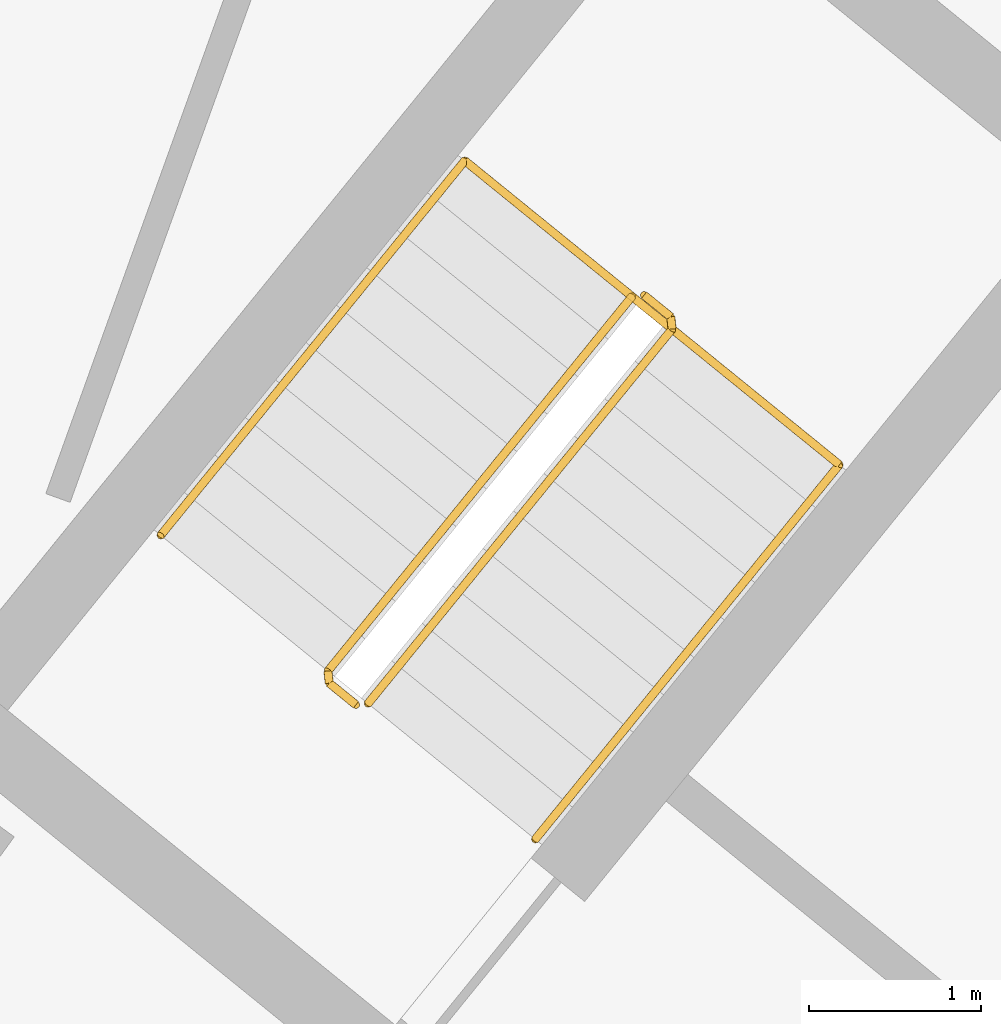
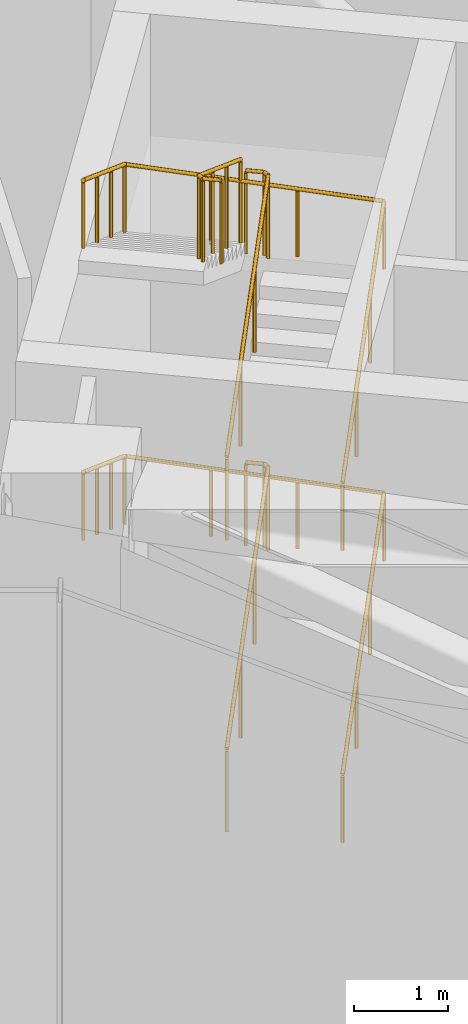
# One storey, part 33 of 33: 5 railings.
"""IFC4 building model written with IfcOpenShell, lengths in metres."""

from ifc_helpers import new_model, si_unit, direction, frame, origin, origin_2d, place, context, subcontext, project, spatial, circle, extrude, material, type_object, element, save


model = new_model("IFC4")

# Units and contexts
model_context = context("Model", 3, precision=1e-05, world=origin(), true_north=direction((0.0, 1.0)))
body_context = subcontext(model_context, "Body", "Model", "MODEL_VIEW")
ifc_project = project(units=[si_unit("LENGTHUNIT", "METRE"), si_unit("AREAUNIT", "SQUARE_METRE"), si_unit("VOLUMEUNIT", "CUBIC_METRE"), si_unit("PLANEANGLEUNIT", "RADIAN"), si_unit("MASSUNIT", "GRAM", prefix="KILO")], contexts=[model_context])

# Site, building, storey
site_placement = place(None, origin())
site = spatial("IfcSite", under=ifc_project, at=site_placement, CompositionType="ELEMENT")
building_placement = place(site_placement, origin())
building = spatial("IfcBuilding", under=site, at=building_placement, Name="Stone Belt Terrace Tower", CompositionType="ELEMENT")
storey_placement = place(building_placement, frame((0.0, 0.0, 79.39990234375)))
storey = spatial("IfcBuildingStorey", under=building, at=storey_placement, Name="L19", CompositionType="ELEMENT", Elevation=79.39990234375)

# Railings
ifc_material = material(Name="Structural steel C345", Category="steel")
railing_type_1 = type_object("IfcRailingType", Name="Stair guard 1100", PredefinedType="GUARDRAIL", material=ifc_material)
for number, where, name in (
    (1, (29.39794921875, 38.281982421875, 0.1728515625), "L19 ST3B stair guard 1"),
    (2, (29.39794921875, 38.281982421875, 3.972900390625), "L19 ST3B stair guard 3"),
):
    element("IfcRailing", number, at=place(storey_placement, frame(where)), inside=storey, type_object=railing_type_1, Name=name, PredefinedType="GUARDRAIL", context=body_context, shape_type="SweptSolid", body=[
        extrude(circle(Radius=0.02392578125, at=origin_2d()), frame((0.0, 0.0, 1.076171875), z_axis=(0.536393061503, 0.660769759217, 0.525038864158), x_axis=(-0.776391310223, 0.630251166924, 0.0)), (0.0, 0.0, 1.0), 3.289794921875),
        extrude(circle(Radius=0.02392578125, at=origin_2d()), frame((1.7646484375, 2.173828125, 2.80322265625), z_axis=(-0.103251414163, 0.994655289773, 0.0), x_axis=(-0.994655289773, -0.103251414163, 0.0)), (0.0, 0.0, 1.0), 0.071044921875),
        extrude(circle(Radius=0.02392578125, at=origin_2d()), frame((1.75732421875, 2.244384765625, 2.80322265625), z_axis=(-0.776561986372, 0.630040856868, 0.0), x_axis=(-0.630040856868, -0.776561986372, 0.0)), (0.0, 0.0, 1.0), 0.199951171875),
        extrude(circle(Radius=0.02099609375, at=origin_2d()), origin(), (0.0, 0.0, 1.0), 1.052001953125),
        extrude(circle(Radius=0.02099609375, at=origin_2d()), frame((0.588134765625, 0.724609375, 0.57568359375)), (0.0, 0.0, 1.0), 1.052001953125),
        extrude(circle(Radius=0.02099609375, at=origin_2d()), frame((1.176513671875, 1.44921875, 1.151611328125)), (0.0, 0.0, 1.0), 1.052001953125),
        extrude(circle(Radius=0.02099609375, at=origin_2d()), frame((1.7646484375, 2.173828125, 1.727294921875)), (0.0, 0.0, 1.0), 1.052001953125),
        extrude(circle(Radius=0.02099609375, at=origin_2d()), frame((1.75732421875, 2.244384765625, 1.727294921875)), (0.0, 0.0, 1.0), 1.052001953125),
        extrude(circle(Radius=0.02099609375, at=origin_2d()), frame((1.60205078125, 2.370361328125, 1.727294921875)), (0.0, 0.0, 1.0), 1.052001953125),
    ])
railing_1_placement = place(storey_placement, frame((30.9296875, 40.64501953125, 5.872802734375)))
element("IfcRailing", 3, at=railing_1_placement, inside=storey, type_object=railing_type_1, Name="L19 ST3B stair guard 4", PredefinedType="GUARDRAIL", context=body_context, shape_type="SweptSolid", body=[
    extrude(circle(Radius=0.02392578125, at=origin_2d()), frame((0.0, 0.0, 1.076171875), z_axis=(-0.536366759382, -0.660811565066, 0.525013118792), x_axis=(0.776425942316, -0.630208502084, 0.0)), (0.0, 0.0, 1.0), 3.2900390625),
    extrude(circle(Radius=0.02392578125, at=origin_2d()), frame((-1.7646484375, -2.174072265625, 2.80322265625), z_axis=(0.103606084259, -0.994618408891, 0.0), x_axis=(0.994618408891, 0.103606084259, 0.0)), (0.0, 0.0, 1.0), 0.07080078125),
    extrude(circle(Radius=0.02392578125, at=origin_2d()), frame((-1.75732421875, -2.244384765625, 2.80322265625), z_axis=(0.776561986372, -0.630040856868, 0.0), x_axis=(0.630040856868, 0.776561986372, 0.0)), (0.0, 0.0, 1.0), 0.199951171875),
    extrude(circle(Radius=0.02099609375, at=origin_2d()), origin(), (0.0, 0.0, 1.0), 1.052001953125),
    extrude(circle(Radius=0.02099609375, at=origin_2d()), frame((-0.588134765625, -0.724609375, 0.57568359375)), (0.0, 0.0, 1.0), 1.052001953125),
    extrude(circle(Radius=0.02099609375, at=origin_2d()), frame((-1.176513671875, -1.449462890625, 1.151611328125)), (0.0, 0.0, 1.0), 1.052001953125),
    extrude(circle(Radius=0.02099609375, at=origin_2d()), frame((-1.7646484375, -2.174072265625, 1.727294921875)), (0.0, 0.0, 1.0), 1.052001953125),
    extrude(circle(Radius=0.02099609375, at=origin_2d()), frame((-1.75732421875, -2.244384765625, 1.727294921875)), (0.0, 0.0, 1.0), 1.052001953125),
    extrude(circle(Radius=0.02099609375, at=origin_2d()), frame((-1.60205078125, -2.370361328125, 1.727294921875)), (0.0, 0.0, 1.0), 1.052001953125),
])
railing_type_2 = type_object("IfcRailingType", Name="Stair handrail 900", PredefinedType="HANDRAIL", material=ifc_material)
railing_2_placement = place(storey_placement, frame((30.36865234375, 37.494140625, 0.1728515625)))
element("IfcRailing", 4, at=railing_2_placement, inside=storey, type_object=railing_type_2, Name="L19 ST3B stair handrail 1", PredefinedType="HANDRAIL", context=body_context, shape_type="SweptSolid", body=[
    extrude(circle(Radius=0.02392578125, at=origin_2d()), frame((0.0, 0.0, 0.8759765625), z_axis=(0.536366759382, 0.660811565066, 0.525013118792), x_axis=(-0.776425942316, 0.630208502084, 0.0)), (0.0, 0.0, 1.0), 3.2900390625),
    extrude(circle(Radius=0.02392578125, at=origin_2d()), frame((1.7646484375, 2.174072265625, 2.60302734375), z_axis=(-0.774954966459, 0.629014542119, 0.061526463929), x_axis=(-0.630208502084, -0.776425942316, 0.0)), (0.0, 0.0, 1.0), 2.805419921875),
    extrude(circle(Radius=0.02392578125, at=origin_2d()), frame((-0.409423828125, 3.938720703125, 2.77587890625), z_axis=(-0.536366759382, -0.660811565066, 0.525013118792), x_axis=(0.776425942316, -0.630208502084, 0.0)), (0.0, 0.0, 1.0), 3.2900390625),
    extrude(circle(Radius=0.02099609375, at=origin_2d()), origin(), (0.0, 0.0, 1.0), 0.851806640625),
    extrude(circle(Radius=0.02099609375, at=origin_2d()), frame((0.588134765625, 0.724609375, 0.57568359375)), (0.0, 0.0, 1.0), 0.851806640625),
    extrude(circle(Radius=0.02099609375, at=origin_2d()), frame((1.176513671875, 1.449462890625, 1.151611328125)), (0.0, 0.0, 1.0), 0.851806640625),
    extrude(circle(Radius=0.02099609375, at=origin_2d()), frame((1.7646484375, 2.174072265625, 1.727294921875)), (0.0, 0.0, 1.0), 0.851806640625),
    extrude(circle(Radius=0.02099609375, at=origin_2d()), frame((1.0400390625, 2.76220703125, 1.784912109375)), (0.0, 0.0, 1.0), 0.851806640625),
    extrude(circle(Radius=0.02099609375, at=origin_2d()), frame((0.315185546875, 3.3505859375, 1.84228515625)), (0.0, 0.0, 1.0), 0.851806640625),
    extrude(circle(Radius=0.02099609375, at=origin_2d()), frame((-0.409423828125, 3.938720703125, 1.89990234375)), (0.0, 0.0, 1.0), 0.851806640625),
    extrude(circle(Radius=0.02099609375, at=origin_2d()), frame((-0.99755859375, 3.214111328125, 2.4755859375)), (0.0, 0.0, 1.0), 0.851806640625),
    extrude(circle(Radius=0.02099609375, at=origin_2d()), frame((-1.5859375, 2.4892578125, 3.051513671875)), (0.0, 0.0, 1.0), 0.851806640625),
    extrude(circle(Radius=0.02099609375, at=origin_2d()), frame((-2.174072265625, 1.7646484375, 3.627197265625)), (0.0, 0.0, 1.0), 0.851806640625),
])
railing_3_placement = place(storey_placement, frame((30.36865234375, 37.494140625, 3.972900390625)))
element("IfcRailing", 5, at=railing_3_placement, inside=storey, type_object=railing_type_2, Name="L19 ST3B stair handrail 2", PredefinedType="HANDRAIL", context=body_context, shape_type="SweptSolid", body=[
    extrude(circle(Radius=0.02392578125, at=origin_2d()), frame((0.0, 0.0, 0.8759765625), z_axis=(0.536366759382, 0.660811565066, 0.525013118792), x_axis=(-0.776425942316, 0.630208502084, 0.0)), (0.0, 0.0, 1.0), 3.2900390625),
    extrude(circle(Radius=0.02392578125, at=origin_2d()), frame((1.7646484375, 2.174072265625, 2.60302734375), z_axis=(-0.774954966459, 0.629014542119, 0.061526463929), x_axis=(-0.630208502084, -0.776425942316, 0.0)), (0.0, 0.0, 1.0), 2.805419921875),
    extrude(circle(Radius=0.02392578125, at=origin_2d()), frame((-0.409423828125, 3.938720703125, 2.77587890625), z_axis=(-0.536366759382, -0.660811565066, 0.525013118792), x_axis=(0.776425942316, -0.630208502084, 0.0)), (0.0, 0.0, 1.0), 3.2900390625),
    extrude(circle(Radius=0.02099609375, at=origin_2d()), origin(), (0.0, 0.0, 1.0), 0.851806640625),
    extrude(circle(Radius=0.02099609375, at=origin_2d()), frame((0.588134765625, 0.724609375, 0.57568359375)), (0.0, 0.0, 1.0), 0.851806640625),
    extrude(circle(Radius=0.02099609375, at=origin_2d()), frame((1.176513671875, 1.449462890625, 1.151611328125)), (0.0, 0.0, 1.0), 0.851806640625),
    extrude(circle(Radius=0.02099609375, at=origin_2d()), frame((1.7646484375, 2.174072265625, 1.727294921875)), (0.0, 0.0, 1.0), 0.851806640625),
    extrude(circle(Radius=0.02099609375, at=origin_2d()), frame((1.0400390625, 2.76220703125, 1.784912109375)), (0.0, 0.0, 1.0), 0.851806640625),
    extrude(circle(Radius=0.02099609375, at=origin_2d()), frame((0.315185546875, 3.3505859375, 1.84228515625)), (0.0, 0.0, 1.0), 0.851806640625),
    extrude(circle(Radius=0.02099609375, at=origin_2d()), frame((-0.409423828125, 3.938720703125, 1.89990234375)), (0.0, 0.0, 1.0), 0.851806640625),
    extrude(circle(Radius=0.02099609375, at=origin_2d()), frame((-0.99755859375, 3.214111328125, 2.4755859375)), (0.0, 0.0, 1.0), 0.851806640625),
    extrude(circle(Radius=0.02099609375, at=origin_2d()), frame((-1.5859375, 2.4892578125, 3.051513671875)), (0.0, 0.0, 1.0), 0.851806640625),
    extrude(circle(Radius=0.02099609375, at=origin_2d()), frame((-2.174072265625, 1.7646484375, 3.627197265625)), (0.0, 0.0, 1.0), 0.851806640625),
])

save(model, "model.ifc")
